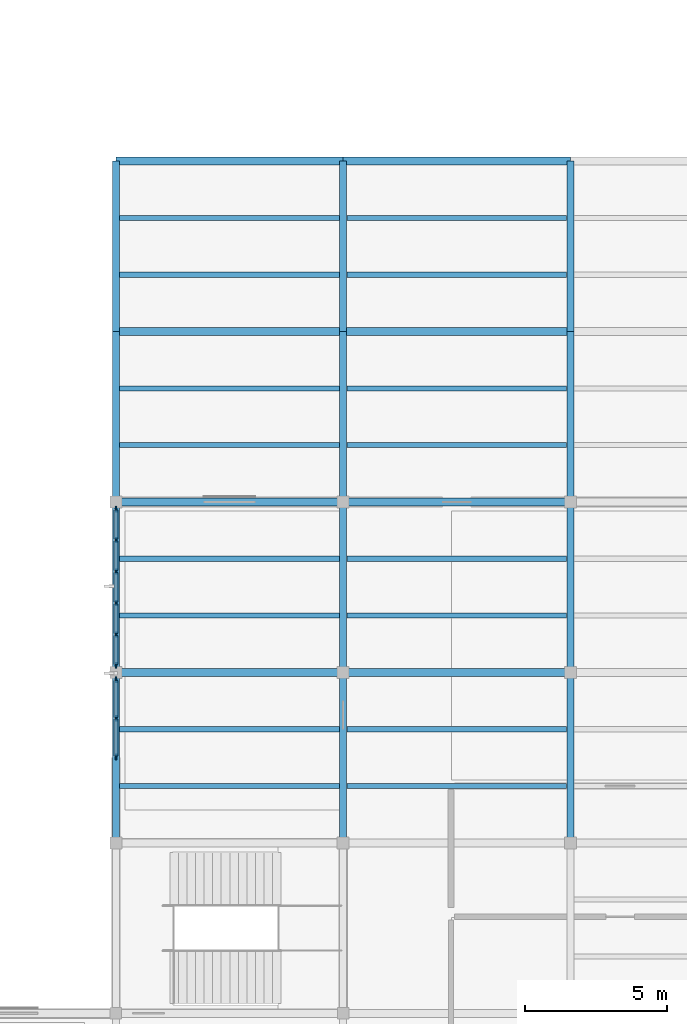
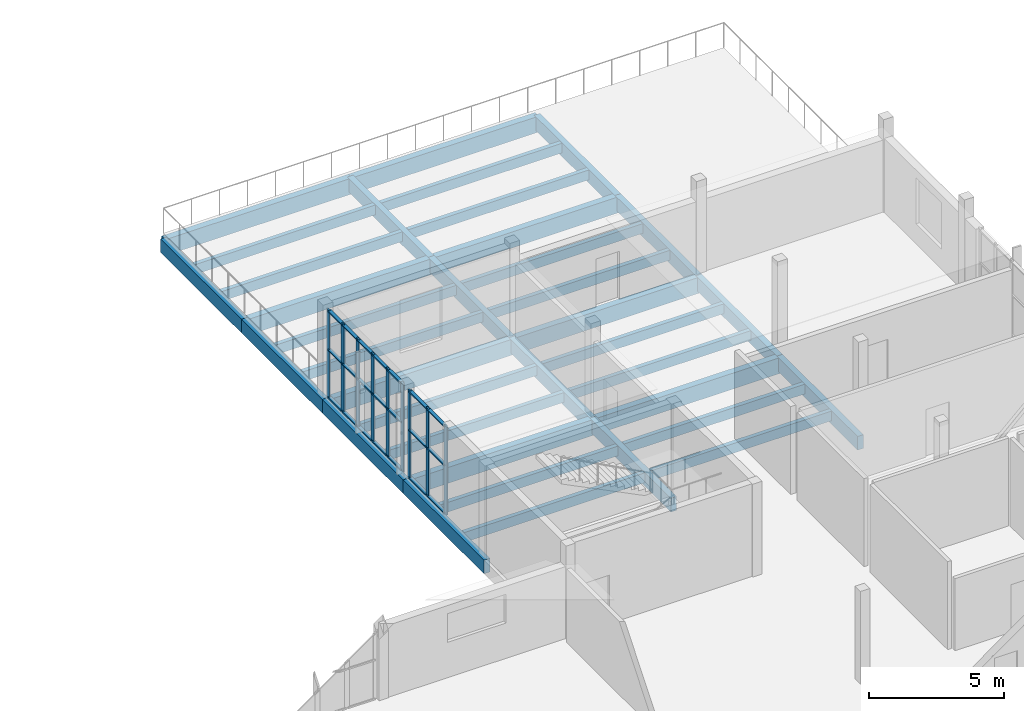
# One storey, part 16 of 45: 36 beams, 30 members, 2 elements without a shape of their own.
"""IFC4 building model written with IfcOpenShell, lengths in metres."""

from ifc_helpers import new_model, si_unit, direction, frame, origin, origin_2d, place, context, subcontext, project, spatial, rectangle, extrude, material, layer, layer_set, material_profile, profile_set, type_object, element, aggregate, save


model = new_model("IFC4")

# Units and contexts
model_context = context("Model", 3, precision=1e-05, world=origin(), true_north=direction((0.0, 1.0)))
body_context = subcontext(model_context, "Body", "Model", "MODEL_VIEW")
ifc_project = project(units=[si_unit("LENGTHUNIT", "METRE"), si_unit("AREAUNIT", "SQUARE_METRE"), si_unit("VOLUMEUNIT", "CUBIC_METRE"), si_unit("PLANEANGLEUNIT", "RADIAN"), si_unit("MASSUNIT", "GRAM", prefix="KILO")], contexts=[model_context])

# Site, building, storey
site_placement = place(None, origin())
site = spatial("IfcSite", under=ifc_project, at=site_placement, CompositionType="ELEMENT")
building_placement = place(site_placement, origin())
building = spatial("IfcBuilding", under=site, at=building_placement, Name="Solvane Community Centre", CompositionType="ELEMENT")
storey_placement = place(building_placement, frame((0.0, 0.0, 13.800048828125)))
storey = spatial("IfcBuildingStorey", under=building, at=storey_placement, Name="L03", CompositionType="ELEMENT", Elevation=13.800048828125)

# Curtain wall, members
ifc_material_1 = material(Name="Anodised bronze aluminium AW-6063 T6", Category="aluminium")
ifc_layer_1 = layer(ifc_material_1, 0.199951171875)
ifc_layer_set_1 = layer_set([ifc_layer_1], Name="Anodised bronze aluminium AW-6063 T6")
curtain_wall_type_1 = type_object("IfcCurtainWallType", Name="Courtyard Cloister Curtain Wall [28x40dm]", PredefinedType="NOTDEFINED", material=ifc_layer_set_1)
curtain_wall_1_placement = place(storey_placement, origin())
curtain_wall_1 = element("IfcCurtainWall", 1, at=curtain_wall_1_placement, inside=storey, type_object=curtain_wall_type_1, Name="Curtain Wall CW-L03-1160_390-225", PredefinedType="NOTDEFINED")
ifc_material_profile_1 = material_profile(ifc_material_1, rectangle(XDim=0.06005859375, YDim=0.199951171875, at=origin_2d()), Name="CW-M 60x200")
ifc_profile_set_1 = profile_set([ifc_material_profile_1], Name="Anodised bronze aluminium AW-6063 T6")
member_type_1 = type_object("IfcMemberType", Name="Cloister Mullion 60x200", PredefinedType="MULLION", material=ifc_profile_set_1)
member_1_placement = place(storey_placement, frame((116.0, 39.030029296875, 0.0), z_axis=(0.0, 0.0, 1.0), x_axis=(-1.0, 0.0, 0.0)))
member_1 = element("IfcMember", 2, at=member_1_placement, type_object=member_type_1, Name="CW03-28x40 mullion 1", PredefinedType="MULLION", context=body_context, shape_type="SweptSolid", body=[
    extrude(rectangle(XDim=0.06005859375, YDim=0.199951171875, at=origin_2d()), origin(), (0.0, 0.0, 1.0), 3.97998046875),
])
member_2_placement = place(storey_placement, frame((116.0, 40.387451171875, 0.0), z_axis=(0.0, 0.0, 1.0), x_axis=(-1.0, 0.0, 0.0)))
member_2 = element("IfcMember", 3, at=member_2_placement, type_object=member_type_1, Name="CW03-28x40 mullion 2", PredefinedType="MULLION", context=body_context, shape_type="SweptSolid", body=[
    extrude(rectangle(XDim=0.06005859375, YDim=0.199951171875, at=origin_2d()), origin(), (0.0, 0.0, 1.0), 3.97998046875),
])
member_3_placement = place(storey_placement, frame((116.0, 41.7451171875, 0.0), z_axis=(0.0, 0.0, 1.0), x_axis=(-1.0, 0.0, 0.0)))
member_3 = element("IfcMember", 4, at=member_3_placement, type_object=member_type_1, Name="CW03-28x40 mullion 3", PredefinedType="MULLION", context=body_context, shape_type="SweptSolid", body=[
    extrude(rectangle(XDim=0.06005859375, YDim=0.199951171875, at=origin_2d()), origin(), (0.0, 0.0, 1.0), 3.97998046875),
])

ifc_layer_2 = layer(ifc_material_1, 0.199951171875)
ifc_layer_set_2 = layer_set([ifc_layer_2], Name="Anodised bronze aluminium AW-6063 T6")
curtain_wall_type_2 = type_object("IfcCurtainWallType", Name="Courtyard Cloister Curtain Wall [55x40dm]", PredefinedType="NOTDEFINED", material=ifc_layer_set_2)
curtain_wall_2_placement = place(storey_placement, origin())
curtain_wall_2 = element("IfcCurtainWall", 5, at=curtain_wall_2_placement, inside=storey, type_object=curtain_wall_type_2, Name="Curtain Wall CW-L03-1160_422-226", PredefinedType="NOTDEFINED")
member_4_placement = place(storey_placement, frame((116.0, 42.2548828125, 0.0), z_axis=(0.0, 0.0, 1.0), x_axis=(-1.0, 0.0, 0.0)))
member_4 = element("IfcMember", 6, at=member_4_placement, type_object=member_type_1, Name="CW03-55x40 mullion 1", PredefinedType="MULLION", context=body_context, shape_type="SweptSolid", body=[
    extrude(rectangle(XDim=0.06005859375, YDim=0.199951171875, at=origin_2d()), origin(), (0.0, 0.0, 1.0), 3.97998046875),
])
member_5_placement = place(storey_placement, frame((116.0, 43.3349609375, 0.0), z_axis=(0.0, 0.0, 1.0), x_axis=(-1.0, 0.0, 0.0)))
member_5 = element("IfcMember", 7, at=member_5_placement, type_object=member_type_1, Name="CW03-55x40 mullion 2", PredefinedType="MULLION", context=body_context, shape_type="SweptSolid", body=[
    extrude(rectangle(XDim=0.06005859375, YDim=0.199951171875, at=origin_2d()), origin(), (0.0, 0.0, 1.0), 3.97998046875),
])
member_6_placement = place(storey_placement, frame((116.0, 44.445068359375, 0.0), z_axis=(0.0, 0.0, 1.0), x_axis=(-1.0, 0.0, 0.0)))
member_6 = element("IfcMember", 8, at=member_6_placement, type_object=member_type_1, Name="CW03-55x40 mullion 3", PredefinedType="MULLION", context=body_context, shape_type="SweptSolid", body=[
    extrude(rectangle(XDim=0.06005859375, YDim=0.199951171875, at=origin_2d()), origin(), (0.0, 0.0, 1.0), 3.97998046875),
])
member_7_placement = place(storey_placement, frame((116.0, 45.554931640625, 0.0), z_axis=(0.0, 0.0, 1.0), x_axis=(-1.0, 0.0, 0.0)))
member_7 = element("IfcMember", 9, at=member_7_placement, type_object=member_type_1, Name="CW03-55x40 mullion 4", PredefinedType="MULLION", context=body_context, shape_type="SweptSolid", body=[
    extrude(rectangle(XDim=0.06005859375, YDim=0.199951171875, at=origin_2d()), origin(), (0.0, 0.0, 1.0), 3.97998046875),
])
member_8_placement = place(storey_placement, frame((116.0, 46.6650390625, 0.0), z_axis=(0.0, 0.0, 1.0), x_axis=(-1.0, 0.0, 0.0)))
member_8 = element("IfcMember", 10, at=member_8_placement, type_object=member_type_1, Name="CW03-55x40 mullion 5", PredefinedType="MULLION", context=body_context, shape_type="SweptSolid", body=[
    extrude(rectangle(XDim=0.06005859375, YDim=0.199951171875, at=origin_2d()), origin(), (0.0, 0.0, 1.0), 3.97998046875),
])
member_9_placement = place(storey_placement, frame((116.0, 47.7451171875, 0.0), z_axis=(0.0, 0.0, 1.0), x_axis=(-1.0, 0.0, 0.0)))
member_9 = element("IfcMember", 11, at=member_9_placement, type_object=member_type_1, Name="CW03-55x40 mullion 6", PredefinedType="MULLION", context=body_context, shape_type="SweptSolid", body=[
    extrude(rectangle(XDim=0.06005859375, YDim=0.199951171875, at=origin_2d()), origin(), (0.0, 0.0, 1.0), 3.97998046875),
])

# Member
ifc_material_profile_2 = material_profile(ifc_material_1, rectangle(XDim=0.139892578125, YDim=0.06005859375, at=origin_2d()), Name="CW-T 60x140")
ifc_profile_set_2 = profile_set([ifc_material_profile_2], Name="Anodised bronze aluminium AW-6063 T6")
member_type_2 = type_object("IfcMemberType", Name="Cloister Transom 60x140", PredefinedType="USERDEFINED", material=ifc_profile_set_2)
member_10_placement = place(storey_placement, frame((116.0, 39.06005859375, 0.030029296875), z_axis=(0.0, 1.0, 0.0), x_axis=(-1.0, 0.0, 0.0)))
member_10 = element("IfcMember", 12, at=member_10_placement, type_object=member_type_2, Name="CW03-28x40 transom 1.1", ObjectType="TRANSOM", PredefinedType="USERDEFINED", context=body_context, shape_type="SweptSolid", body=[
    extrude(rectangle(XDim=0.139892578125, YDim=0.06005859375, at=origin_2d()), origin(), (0.0, 0.0, 1.0), 1.29736328125),
])

member_11_placement = place(storey_placement, frame((116.0, 39.06005859375, 2.18896484375), z_axis=(0.0, 1.0, 0.0), x_axis=(-1.0, 0.0, 0.0)))
member_11 = element("IfcMember", 13, at=member_11_placement, type_object=member_type_2, Name="CW03-28x40 transom 1.2", ObjectType="TRANSOM", PredefinedType="USERDEFINED", context=body_context, shape_type="SweptSolid", body=[
    extrude(rectangle(XDim=0.139892578125, YDim=0.06005859375, at=origin_2d()), origin(), (0.0, 0.0, 1.0), 1.29736328125),
])

member_12_placement = place(storey_placement, frame((116.0, 39.06005859375, 3.949951171875), z_axis=(0.0, 1.0, 0.0), x_axis=(-1.0, 0.0, 0.0)))
member_12 = element("IfcMember", 14, at=member_12_placement, type_object=member_type_2, Name="CW03-28x40 transom 1.3", ObjectType="TRANSOM", PredefinedType="USERDEFINED", context=body_context, shape_type="SweptSolid", body=[
    extrude(rectangle(XDim=0.139892578125, YDim=0.06005859375, at=origin_2d()), origin(), (0.0, 0.0, 1.0), 1.29736328125),
])

member_13_placement = place(storey_placement, frame((116.0, 40.41748046875, 0.030029296875), z_axis=(0.0, 1.0, 0.0), x_axis=(-1.0, 0.0, 0.0)))
member_13 = element("IfcMember", 15, at=member_13_placement, type_object=member_type_2, Name="CW03-28x40 transom 2.1", ObjectType="TRANSOM", PredefinedType="USERDEFINED", context=body_context, shape_type="SweptSolid", body=[
    extrude(rectangle(XDim=0.139892578125, YDim=0.06005859375, at=origin_2d()), origin(), (0.0, 0.0, 1.0), 1.297607421875),
])

member_14_placement = place(storey_placement, frame((116.0, 40.41748046875, 2.18896484375), z_axis=(0.0, 1.0, 0.0), x_axis=(-1.0, 0.0, 0.0)))
member_14 = element("IfcMember", 16, at=member_14_placement, type_object=member_type_2, Name="CW03-28x40 transom 2.2", ObjectType="TRANSOM", PredefinedType="USERDEFINED", context=body_context, shape_type="SweptSolid", body=[
    extrude(rectangle(XDim=0.139892578125, YDim=0.06005859375, at=origin_2d()), origin(), (0.0, 0.0, 1.0), 1.297607421875),
])

member_15_placement = place(storey_placement, frame((116.0, 40.41748046875, 3.949951171875), z_axis=(0.0, 1.0, 0.0), x_axis=(-1.0, 0.0, 0.0)))
member_15 = element("IfcMember", 17, at=member_15_placement, type_object=member_type_2, Name="CW03-28x40 transom 2.3", ObjectType="TRANSOM", PredefinedType="USERDEFINED", context=body_context, shape_type="SweptSolid", body=[
    extrude(rectangle(XDim=0.139892578125, YDim=0.06005859375, at=origin_2d()), origin(), (0.0, 0.0, 1.0), 1.297607421875),
])

aggregate(curtain_wall_1, [member_1, member_2, member_3, member_10, member_11, member_12, member_13, member_14, member_15])

member_16_placement = place(storey_placement, frame((116.0, 42.284912109375, 0.030029296875), z_axis=(0.0, 1.0, 0.0), x_axis=(-1.0, 0.0, 0.0)))
member_16 = element("IfcMember", 18, at=member_16_placement, type_object=member_type_2, Name="CW03-55x40 transom 1.1", ObjectType="TRANSOM", PredefinedType="USERDEFINED", context=body_context, shape_type="SweptSolid", body=[
    extrude(rectangle(XDim=0.139892578125, YDim=0.06005859375, at=origin_2d()), origin(), (0.0, 0.0, 1.0), 1.02001953125),
])

member_17_placement = place(storey_placement, frame((116.0, 42.284912109375, 2.18896484375), z_axis=(0.0, 1.0, 0.0), x_axis=(-1.0, 0.0, 0.0)))
member_17 = element("IfcMember", 19, at=member_17_placement, type_object=member_type_2, Name="CW03-55x40 transom 1.2", ObjectType="TRANSOM", PredefinedType="USERDEFINED", context=body_context, shape_type="SweptSolid", body=[
    extrude(rectangle(XDim=0.139892578125, YDim=0.06005859375, at=origin_2d()), origin(), (0.0, 0.0, 1.0), 1.02001953125),
])

member_18_placement = place(storey_placement, frame((116.0, 42.284912109375, 3.949951171875), z_axis=(0.0, 1.0, 0.0), x_axis=(-1.0, 0.0, 0.0)))
member_18 = element("IfcMember", 20, at=member_18_placement, type_object=member_type_2, Name="CW03-55x40 transom 1.3", ObjectType="TRANSOM", PredefinedType="USERDEFINED", context=body_context, shape_type="SweptSolid", body=[
    extrude(rectangle(XDim=0.139892578125, YDim=0.06005859375, at=origin_2d()), origin(), (0.0, 0.0, 1.0), 1.02001953125),
])

member_19_placement = place(storey_placement, frame((116.0, 43.364990234375, 0.030029296875), z_axis=(0.0, 1.0, 0.0), x_axis=(-1.0, 0.0, 0.0)))
member_19 = element("IfcMember", 21, at=member_19_placement, type_object=member_type_2, Name="CW03-55x40 transom 2.1", ObjectType="TRANSOM", PredefinedType="USERDEFINED", context=body_context, shape_type="SweptSolid", body=[
    extrude(rectangle(XDim=0.139892578125, YDim=0.06005859375, at=origin_2d()), origin(), (0.0, 0.0, 1.0), 1.050048828125),
])

member_20_placement = place(storey_placement, frame((116.0, 43.364990234375, 2.18896484375), z_axis=(0.0, 1.0, 0.0), x_axis=(-1.0, 0.0, 0.0)))
member_20 = element("IfcMember", 22, at=member_20_placement, type_object=member_type_2, Name="CW03-55x40 transom 2.2", ObjectType="TRANSOM", PredefinedType="USERDEFINED", context=body_context, shape_type="SweptSolid", body=[
    extrude(rectangle(XDim=0.139892578125, YDim=0.06005859375, at=origin_2d()), origin(), (0.0, 0.0, 1.0), 1.050048828125),
])

member_21_placement = place(storey_placement, frame((116.0, 43.364990234375, 3.949951171875), z_axis=(0.0, 1.0, 0.0), x_axis=(-1.0, 0.0, 0.0)))
member_21 = element("IfcMember", 23, at=member_21_placement, type_object=member_type_2, Name="CW03-55x40 transom 2.3", ObjectType="TRANSOM", PredefinedType="USERDEFINED", context=body_context, shape_type="SweptSolid", body=[
    extrude(rectangle(XDim=0.139892578125, YDim=0.06005859375, at=origin_2d()), origin(), (0.0, 0.0, 1.0), 1.050048828125),
])

member_22_placement = place(storey_placement, frame((116.0, 44.47509765625, 0.030029296875), z_axis=(0.0, 1.0, 0.0), x_axis=(-1.0, 0.0, 0.0)))
member_22 = element("IfcMember", 24, at=member_22_placement, type_object=member_type_2, Name="CW03-55x40 transom 3.1", ObjectType="TRANSOM", PredefinedType="USERDEFINED", context=body_context, shape_type="SweptSolid", body=[
    extrude(rectangle(XDim=0.139892578125, YDim=0.06005859375, at=origin_2d()), origin(), (0.0, 0.0, 1.0), 1.0498046875),
])

member_23_placement = place(storey_placement, frame((116.0, 44.47509765625, 2.18896484375), z_axis=(0.0, 1.0, 0.0), x_axis=(-1.0, 0.0, 0.0)))
member_23 = element("IfcMember", 25, at=member_23_placement, type_object=member_type_2, Name="CW03-55x40 transom 3.2", ObjectType="TRANSOM", PredefinedType="USERDEFINED", context=body_context, shape_type="SweptSolid", body=[
    extrude(rectangle(XDim=0.139892578125, YDim=0.06005859375, at=origin_2d()), origin(), (0.0, 0.0, 1.0), 1.0498046875),
])

member_24_placement = place(storey_placement, frame((116.0, 44.47509765625, 3.949951171875), z_axis=(0.0, 1.0, 0.0), x_axis=(-1.0, 0.0, 0.0)))
member_24 = element("IfcMember", 26, at=member_24_placement, type_object=member_type_2, Name="CW03-55x40 transom 3.3", ObjectType="TRANSOM", PredefinedType="USERDEFINED", context=body_context, shape_type="SweptSolid", body=[
    extrude(rectangle(XDim=0.139892578125, YDim=0.06005859375, at=origin_2d()), origin(), (0.0, 0.0, 1.0), 1.0498046875),
])

member_25_placement = place(storey_placement, frame((116.0, 45.5849609375, 0.030029296875), z_axis=(0.0, 1.0, 0.0), x_axis=(-1.0, 0.0, 0.0)))
member_25 = element("IfcMember", 27, at=member_25_placement, type_object=member_type_2, Name="CW03-55x40 transom 4.1", ObjectType="TRANSOM", PredefinedType="USERDEFINED", context=body_context, shape_type="SweptSolid", body=[
    extrude(rectangle(XDim=0.139892578125, YDim=0.06005859375, at=origin_2d()), origin(), (0.0, 0.0, 1.0), 1.050048828125),
])

member_26_placement = place(storey_placement, frame((116.0, 45.5849609375, 2.18896484375), z_axis=(0.0, 1.0, 0.0), x_axis=(-1.0, 0.0, 0.0)))
member_26 = element("IfcMember", 28, at=member_26_placement, type_object=member_type_2, Name="CW03-55x40 transom 4.2", ObjectType="TRANSOM", PredefinedType="USERDEFINED", context=body_context, shape_type="SweptSolid", body=[
    extrude(rectangle(XDim=0.139892578125, YDim=0.06005859375, at=origin_2d()), origin(), (0.0, 0.0, 1.0), 1.050048828125),
])

member_27_placement = place(storey_placement, frame((116.0, 45.5849609375, 3.949951171875), z_axis=(0.0, 1.0, 0.0), x_axis=(-1.0, 0.0, 0.0)))
member_27 = element("IfcMember", 29, at=member_27_placement, type_object=member_type_2, Name="CW03-55x40 transom 4.3", ObjectType="TRANSOM", PredefinedType="USERDEFINED", context=body_context, shape_type="SweptSolid", body=[
    extrude(rectangle(XDim=0.139892578125, YDim=0.06005859375, at=origin_2d()), origin(), (0.0, 0.0, 1.0), 1.050048828125),
])

member_28_placement = place(storey_placement, frame((116.0, 46.695068359375, 0.030029296875), z_axis=(0.0, 1.0, 0.0), x_axis=(-1.0, 0.0, 0.0)))
member_28 = element("IfcMember", 30, at=member_28_placement, type_object=member_type_2, Name="CW03-55x40 transom 5.1", ObjectType="TRANSOM", PredefinedType="USERDEFINED", context=body_context, shape_type="SweptSolid", body=[
    extrude(rectangle(XDim=0.139892578125, YDim=0.06005859375, at=origin_2d()), origin(), (0.0, 0.0, 1.0), 1.02001953125),
])

member_29_placement = place(storey_placement, frame((116.0, 46.695068359375, 2.18896484375), z_axis=(0.0, 1.0, 0.0), x_axis=(-1.0, 0.0, 0.0)))
member_29 = element("IfcMember", 31, at=member_29_placement, type_object=member_type_2, Name="CW03-55x40 transom 5.2", ObjectType="TRANSOM", PredefinedType="USERDEFINED", context=body_context, shape_type="SweptSolid", body=[
    extrude(rectangle(XDim=0.139892578125, YDim=0.06005859375, at=origin_2d()), origin(), (0.0, 0.0, 1.0), 1.02001953125),
])

member_30_placement = place(storey_placement, frame((116.0, 46.695068359375, 3.949951171875), z_axis=(0.0, 1.0, 0.0), x_axis=(-1.0, 0.0, 0.0)))
member_30 = element("IfcMember", 32, at=member_30_placement, type_object=member_type_2, Name="CW03-55x40 transom 5.3", ObjectType="TRANSOM", PredefinedType="USERDEFINED", context=body_context, shape_type="SweptSolid", body=[
    extrude(rectangle(XDim=0.139892578125, YDim=0.06005859375, at=origin_2d()), origin(), (0.0, 0.0, 1.0), 1.02001953125),
])

aggregate(curtain_wall_2, [member_4, member_5, member_6, member_7, member_8, member_9, member_16, member_17, member_18, member_19, member_20, member_21, member_22, member_23, member_24, member_25, member_26, member_27, member_28, member_29, member_30])

# Beams
ifc_material_2 = material(Name="Glulam GL28h", Category="wood")
ifc_material_profile_3 = material_profile(ifc_material_2, rectangle(XDim=0.25, YDim=0.6201171875, at=origin_2d()), Name="GL28h 250x620")
ifc_profile_set_3 = profile_set([ifc_material_profile_3], Name="Glulam GL28h")
beam_type_1 = type_object("IfcBeamType", Name="Glulam Bay Beam 250x620", PredefinedType="BEAM", material=ifc_profile_set_3)
for number, where, z_axis, x_axis, name in (
    (33, (116.0, 36.0, -0.530029296875), (0.0, 1.0, 0.0), (-1.0, 0.0, 0.0), "Beam BM-L03-1160_360-1160_420"),
    (34, (116.0, 42.0, -0.530029296875), (0.0, 1.0, 0.0), (-1.0, 0.0, 0.0), "Beam BM-L03-1160_420-1160_480"),
    (35, (116.0, 48.0, -0.530029296875), (0.0, 1.0, 0.0), (-1.0, 0.0, 0.0), "Beam BM-L03-1160_480-1160_540"),
    (36, (116.0, 54.0, -0.530029296875), (0.0, 1.0, 0.0), (-1.0, 0.0, 0.0), "Beam BM-L03-1160_540-1160_600"),
    (37, (124.0, 36.0, -0.530029296875), (0.0, 1.0, 0.0), (-1.0, 0.0, 0.0), "Beam BM-L03-1240_360-1240_420"),
    (38, (124.0, 42.0, -0.530029296875), (0.0, 1.0, 0.0), (-1.0, 0.0, 0.0), "Beam BM-L03-1240_420-1240_480"),
    (39, (124.0, 48.0, -0.530029296875), (0.0, 1.0, 0.0), (-1.0, 0.0, 0.0), "Beam BM-L03-1240_480-1240_540"),
    (40, (124.0, 54.0, -0.530029296875), (0.0, 1.0, 0.0), (-1.0, 0.0, 0.0), "Beam BM-L03-1240_540-1240_600"),
    (41, (132.0, 36.0, -0.530029296875), (0.0, 1.0, 0.0), (-1.0, 0.0, 0.0), "Beam BM-L03-1320_360-1320_420"),
    (42, (132.0, 42.0, -0.530029296875), (0.0, 1.0, 0.0), (-1.0, 0.0, 0.0), "Beam BM-L03-1320_420-1320_480"),
    (43, (132.0, 48.0, -0.530029296875), (0.0, 1.0, 0.0), (-1.0, 0.0, 0.0), "Beam BM-L03-1320_480-1320_540"),
    (44, (132.0, 54.0, -0.530029296875), (0.0, 1.0, 0.0), (-1.0, 0.0, 0.0), "Beam BM-L03-1320_540-1320_600"),
):
    element("IfcBeam", number, at=place(storey_placement, frame(where, z_axis=z_axis, x_axis=x_axis)), inside=storey, type_object=beam_type_1, Name=name, PredefinedType="BEAM", context=body_context, shape_type="SweptSolid", body=[
        extrude(rectangle(XDim=0.25, YDim=0.6201171875, at=origin_2d()), origin(), (0.0, 0.0, 1.0), 6.0),
    ])
ifc_material_profile_4 = material_profile(ifc_material_2, rectangle(XDim=0.179931640625, YDim=0.43994140625, at=origin_2d()), Name="GL28h 180x440")
ifc_profile_set_4 = profile_set([ifc_material_profile_4], Name="Glulam GL28h")
beam_type_2 = type_object("IfcBeamType", Name="Glulam Floor Joist 180x440", PredefinedType="JOIST", material=ifc_profile_set_4)
for number, where, z_axis, x_axis, name in (
    (45, (116.1298828125, 38.0, -0.43994140625), (1.0, 0.0, 0.0), (0.0, 1.0, 0.0), "Beam BM-L03-1161_380-1239_380"),
    (46, (116.1298828125, 40.0, -0.43994140625), (1.0, 0.0, 0.0), (0.0, 1.0, 0.0), "Beam BM-L03-1161_400-1239_400"),
    (47, (116.1298828125, 44.0, -0.43994140625), (1.0, 0.0, 0.0), (0.0, 1.0, 0.0), "Beam BM-L03-1161_440-1239_440"),
    (48, (116.1298828125, 46.0, -0.43994140625), (1.0, 0.0, 0.0), (0.0, 1.0, 0.0), "Beam BM-L03-1161_460-1239_460"),
    (49, (116.1298828125, 50.0, -0.43994140625), (1.0, 0.0, 0.0), (0.0, 1.0, 0.0), "Beam BM-L03-1161_500-1239_500"),
    (50, (116.1298828125, 52.0, -0.43994140625), (1.0, 0.0, 0.0), (0.0, 1.0, 0.0), "Beam BM-L03-1161_520-1239_520"),
    (51, (116.1298828125, 56.0, -0.43994140625), (1.0, 0.0, 0.0), (0.0, 1.0, 0.0), "Beam BM-L03-1161_560-1239_560"),
    (52, (116.1298828125, 58.0, -0.43994140625), (1.0, 0.0, 0.0), (0.0, 1.0, 0.0), "Beam BM-L03-1161_580-1239_580"),
    (53, (124.1298828125, 38.0, -0.43994140625), (1.0, 0.0, 0.0), (0.0, 1.0, 0.0), "Beam BM-L03-1241_380-1319_380"),
    (54, (124.1298828125, 40.0, -0.43994140625), (1.0, 0.0, 0.0), (0.0, 1.0, 0.0), "Beam BM-L03-1241_400-1319_400"),
    (55, (124.1298828125, 44.0, -0.43994140625), (1.0, 0.0, 0.0), (0.0, 1.0, 0.0), "Beam BM-L03-1241_440-1319_440"),
    (56, (124.1298828125, 46.0, -0.43994140625), (1.0, 0.0, 0.0), (0.0, 1.0, 0.0), "Beam BM-L03-1241_460-1319_460"),
    (57, (124.1298828125, 50.0, -0.43994140625), (1.0, 0.0, 0.0), (0.0, 1.0, 0.0), "Beam BM-L03-1241_500-1319_500"),
    (58, (124.1298828125, 52.0, -0.43994140625), (1.0, 0.0, 0.0), (0.0, 1.0, 0.0), "Beam BM-L03-1241_520-1319_520"),
    (59, (124.1298828125, 56.0, -0.43994140625), (1.0, 0.0, 0.0), (0.0, 1.0, 0.0), "Beam BM-L03-1241_560-1319_560"),
    (60, (124.1298828125, 58.0, -0.43994140625), (1.0, 0.0, 0.0), (0.0, 1.0, 0.0), "Beam BM-L03-1241_580-1319_580"),
):
    element("IfcBeam", number, at=place(storey_placement, frame(where, z_axis=z_axis, x_axis=x_axis)), inside=storey, type_object=beam_type_2, Name=name, PredefinedType="JOIST", context=body_context, shape_type="SweptSolid", body=[
        extrude(rectangle(XDim=0.179931640625, YDim=0.43994140625, at=origin_2d()), origin(), (0.0, 0.0, 1.0), 7.740234375),
    ])
ifc_material_profile_5 = material_profile(ifc_material_2, rectangle(XDim=0.280029296875, YDim=0.719970703125, at=origin_2d()), Name="GL28h 280x720")
ifc_profile_set_5 = profile_set([ifc_material_profile_5], Name="Glulam GL28h")
beam_type_3 = type_object("IfcBeamType", Name="Glulam Long-Span Girder 280x720", PredefinedType="USERDEFINED", material=ifc_profile_set_5)
for number, where, z_axis, x_axis, name in (
    (61, (116.0, 42.0, -0.580078125), (1.0, 0.0, 0.0), (0.0, 1.0, 0.0), "Beam BM-L03-1160_420-1240_420"),
    (62, (124.0, 42.0, -0.580078125), (1.0, 0.0, 0.0), (0.0, 1.0, 0.0), "Beam BM-L03-1240_420-1320_420"),
    (63, (116.0, 48.0, -0.580078125), (1.0, 0.0, 0.0), (0.0, 1.0, 0.0), "Beam BM-L03-1160_480-1240_480"),
    (64, (124.0, 48.0, -0.580078125), (1.0, 0.0, 0.0), (0.0, 1.0, 0.0), "Beam BM-L03-1240_480-1320_480"),
    (65, (116.0, 54.0, -0.580078125), (1.0, 0.0, 0.0), (0.0, 1.0, 0.0), "Beam BM-L03-1160_540-1240_540"),
    (66, (124.0, 54.0, -0.580078125), (1.0, 0.0, 0.0), (0.0, 1.0, 0.0), "Beam BM-L03-1240_540-1320_540"),
    (67, (116.0, 60.0, -0.580078125), (1.0, 0.0, 0.0), (0.0, 1.0, 0.0), "Beam BM-L03-1160_600-1240_600"),
    (68, (124.0, 60.0, -0.580078125), (1.0, 0.0, 0.0), (0.0, 1.0, 0.0), "Beam BM-L03-1240_600-1320_600"),
):
    element("IfcBeam", number, at=place(storey_placement, frame(where, z_axis=z_axis, x_axis=x_axis)), inside=storey, type_object=beam_type_3, Name=name, ObjectType="GIRDER", PredefinedType="USERDEFINED", context=body_context, shape_type="SweptSolid", body=[
        extrude(rectangle(XDim=0.280029296875, YDim=0.719970703125, at=origin_2d()), origin(), (0.0, 0.0, 1.0), 8.0),
    ])

save(model, "model.ifc")
